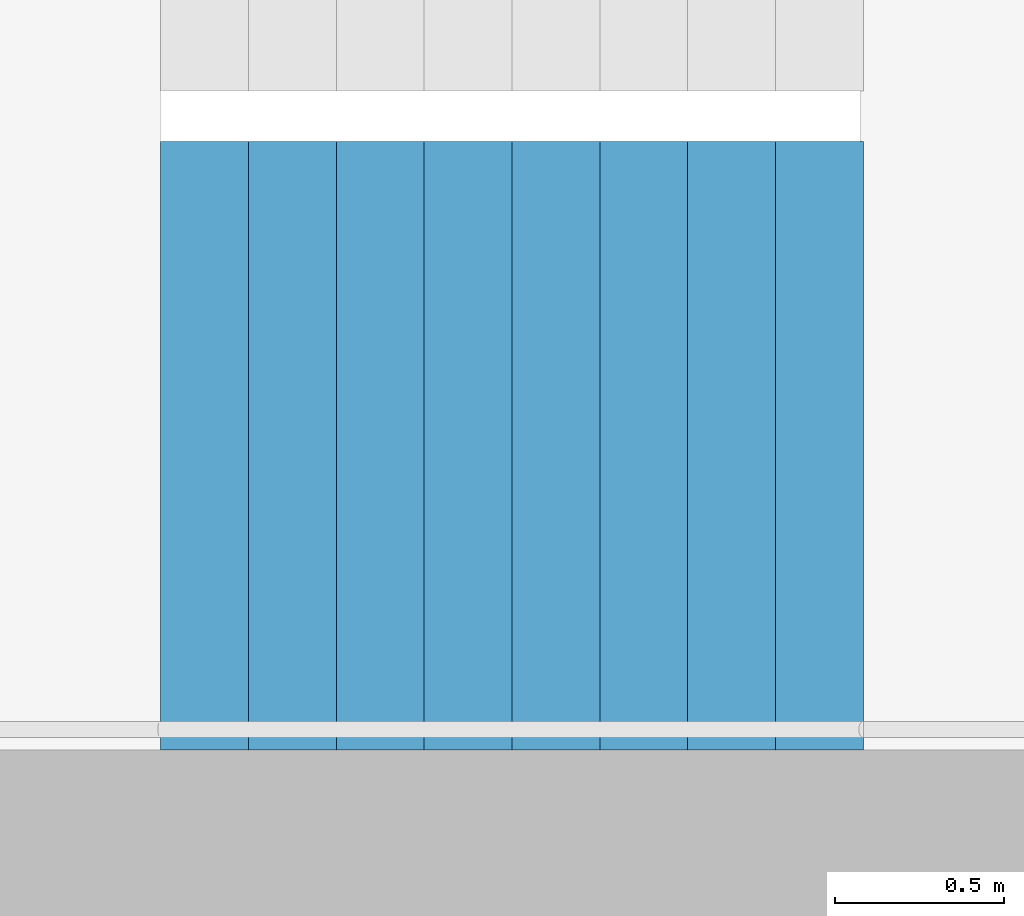
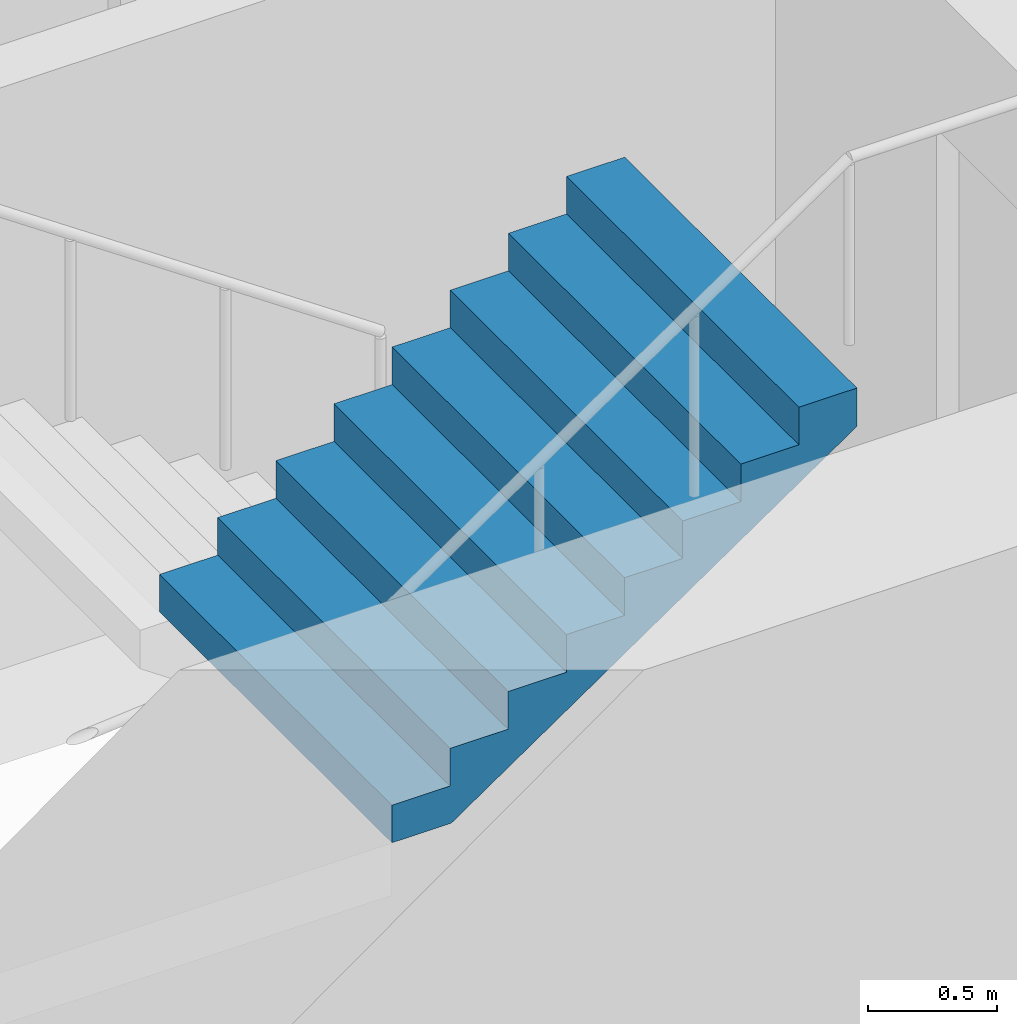
# One storey, part 18 of 26: 1 stair flight, 1 element without a shape of its own.
"""IFC4 building model written with IfcOpenShell, lengths in metres."""

from ifc_helpers import new_model, si_unit, direction, frame, origin, place, context, subcontext, project, spatial, triangles, material, type_object, element, aggregate, save


model = new_model("IFC4")

# Units and contexts
model_context = context("Model", 3, precision=1e-05, world=origin(), true_north=direction((0.0, 1.0)))
body_context = subcontext(model_context, "Body", "Model", "MODEL_VIEW")
ifc_project = project(units=[si_unit("LENGTHUNIT", "METRE"), si_unit("AREAUNIT", "SQUARE_METRE"), si_unit("VOLUMEUNIT", "CUBIC_METRE"), si_unit("PLANEANGLEUNIT", "RADIAN"), si_unit("MASSUNIT", "GRAM", prefix="KILO")], contexts=[model_context])

# Site, building, storey
site_placement = place(None, origin())
site = spatial("IfcSite", under=ifc_project, at=site_placement, CompositionType="ELEMENT")
building_placement = place(site_placement, origin())
building = spatial("IfcBuilding", under=site, at=building_placement, Name="Hakoniwa Tower and Hamabe Station Hall", CompositionType="ELEMENT")
storey_placement = place(building_placement, frame((0.0, 0.0, 156.60009765625)))
storey = spatial("IfcBuildingStorey", under=building, at=storey_placement, Name="L44", CompositionType="ELEMENT", Elevation=156.60009765625)

# Stair, stair flight
ifc_material_1 = material(Name="Concrete C40", Category="concrete")
stair_type = type_object("IfcStairType", Name="ESCAPE STAIR 1800", PredefinedType="HALF_TURN_STAIR", material=ifc_material_1)
stair_placement = place(storey_placement, origin())
stair = element("IfcStair", 1, at=stair_placement, inside=storey, type_object=stair_type, Name="Escape stair ST-2 L44", PredefinedType="HALF_TURN_STAIR")
ifc_material_2 = material(Name="Concrete C40", Category="concrete")
stair_flight_type = type_object("IfcStairFlightType", Name="STAIR FLIGHT 1800", PredefinedType="STRAIGHT", material=ifc_material_2)
stair_flight_placement = place(storey_placement, frame((-25.47998046875, -6.60009765625, 1.599853515625), z_axis=(0.0, 0.0, 1.0), x_axis=(1.0, 0.0, 0.0)))
stair_flight = element("IfcStairFlight", 2, at=stair_flight_placement, type_object=stair_flight_type, Name="ST-2 flight 2", NumberOfRisers=9, NumberOfTreads=8, PredefinedType="STRAIGHT", RiserHeight=0.177777778, TreadLength=0.26, context=body_context, shape_type="Tessellation", body=[
    triangles([(0.0, 0.89990234375, 0.0), (0.260009765625, 0.89990234375, 0.0), (0.265625, 0.89990234375, 0.0), (0.52001953125, 0.89990234375, 0.174072265625), (0.780029296875, 0.89990234375, 0.351806640625), (1.0400390625, 0.89990234375, 0.529541015625), (1.300048828125, 0.89990234375, 0.707275390625), (1.56005859375, 0.89990234375, 0.885009765625), (1.820068359375, 0.89990234375, 1.062744140625), (2.080078125, 0.89990234375, 1.24072265625), (2.080078125, 0.89990234375, 1.422119140625), (1.820068359375, 0.89990234375, 1.422119140625), (1.820068359375, 0.89990234375, 1.244384765625), (1.56005859375, 0.89990234375, 1.244384765625), (1.56005859375, 0.89990234375, 1.066650390625), (1.300048828125, 0.89990234375, 1.066650390625), (1.300048828125, 0.89990234375, 0.888916015625), (1.0400390625, 0.89990234375, 0.888916015625), (1.0400390625, 0.89990234375, 0.711181640625), (0.780029296875, 0.89990234375, 0.711181640625), (0.780029296875, 0.89990234375, 0.533447265625), (0.52001953125, 0.89990234375, 0.533447265625), (0.52001953125, 0.89990234375, 0.35546875), (0.265625, 0.89990234375, 0.35546875), (0.260009765625, 0.89990234375, 0.35546875), (0.260009765625, 0.89990234375, 0.177734375), (0.0, 0.89990234375, 0.177734375), (0.0, 0.06005859375, 0.0), (0.260009765625, 0.06005859375, 0.0), (0.265625, 0.06005859375, 0.0), (0.52001953125, 0.06005859375, 0.174072265625), (0.780029296875, 0.06005859375, 0.351806640625), (1.0400390625, 0.06005859375, 0.529541015625), (1.300048828125, 0.06005859375, 0.707275390625), (1.56005859375, 0.06005859375, 0.885009765625), (1.820068359375, 0.06005859375, 1.062744140625), (2.080078125, 0.06005859375, 1.24072265625), (2.080078125, 0.06005859375, 1.422119140625), (1.820068359375, 0.06005859375, 1.422119140625), (1.820068359375, 0.06005859375, 1.244384765625), (1.56005859375, 0.06005859375, 1.244384765625), (1.56005859375, 0.06005859375, 1.066650390625), (1.300048828125, 0.06005859375, 1.066650390625), (1.300048828125, 0.06005859375, 0.888916015625), (1.0400390625, 0.06005859375, 0.888916015625), (1.0400390625, 0.06005859375, 0.711181640625), (0.780029296875, 0.06005859375, 0.711181640625), (0.780029296875, 0.06005859375, 0.533447265625), (0.52001953125, 0.06005859375, 0.533447265625), (0.52001953125, 0.06005859375, 0.35546875), (0.265625, 0.06005859375, 0.35546875), (0.260009765625, 0.06005859375, 0.35546875), (0.260009765625, 0.06005859375, 0.177734375), (0.0, 0.06005859375, 0.177734375), (0.0, 0.04296875, 0.0), (0.260009765625, 0.04296875, 0.0), (0.265625, 0.04296875, 0.0), (0.52001953125, 0.04296875, 0.174072265625), (0.780029296875, 0.04296875, 0.351806640625), (1.0400390625, 0.04296875, 0.529541015625), (1.300048828125, 0.04296875, 0.707275390625), (1.56005859375, 0.04296875, 0.885009765625), (1.820068359375, 0.04296875, 1.062744140625), (2.080078125, 0.04296875, 1.24072265625), (2.080078125, 0.04296875, 1.422119140625), (1.820068359375, 0.04296875, 1.422119140625), (1.820068359375, 0.04296875, 1.244384765625), (1.56005859375, 0.04296875, 1.244384765625), (1.56005859375, 0.04296875, 1.066650390625), (1.300048828125, 0.04296875, 1.066650390625), (1.300048828125, 0.04296875, 0.888916015625), (1.0400390625, 0.04296875, 0.888916015625), (1.0400390625, 0.04296875, 0.711181640625), (0.780029296875, 0.04296875, 0.711181640625), (0.780029296875, 0.04296875, 0.533447265625), (0.52001953125, 0.04296875, 0.533447265625), (0.52001953125, 0.04296875, 0.35546875), (0.265625, 0.04296875, 0.35546875), (0.260009765625, 0.04296875, 0.35546875), (0.260009765625, 0.04296875, 0.177734375), (0.0, 0.04296875, 0.177734375), (0.0, 0.025634765625, 0.0), (0.260009765625, 0.025634765625, 0.0), (0.265625, 0.025634765625, 0.0), (0.52001953125, 0.025634765625, 0.174072265625), (0.780029296875, 0.025634765625, 0.351806640625), (1.0400390625, 0.025634765625, 0.529541015625), (1.300048828125, 0.025634765625, 0.707275390625), (1.56005859375, 0.025634765625, 0.885009765625), (1.820068359375, 0.025634765625, 1.062744140625), (2.080078125, 0.025634765625, 1.24072265625), (2.080078125, 0.025634765625, 1.422119140625), (1.820068359375, 0.025634765625, 1.422119140625), (1.820068359375, 0.025634765625, 1.244384765625), (1.56005859375, 0.025634765625, 1.244384765625), (1.56005859375, 0.025634765625, 1.066650390625), (1.300048828125, 0.025634765625, 1.066650390625), (1.300048828125, 0.025634765625, 0.888916015625), (1.0400390625, 0.025634765625, 0.888916015625), (1.0400390625, 0.025634765625, 0.711181640625), (0.780029296875, 0.025634765625, 0.711181640625), (0.780029296875, 0.025634765625, 0.533447265625), (0.52001953125, 0.025634765625, 0.533447265625), (0.52001953125, 0.025634765625, 0.35546875), (0.265625, 0.025634765625, 0.35546875), (0.260009765625, 0.025634765625, 0.35546875), (0.260009765625, 0.025634765625, 0.177734375), (0.0, 0.025634765625, 0.177734375), (0.0, 0.008544921875, 0.0), (0.260009765625, 0.008544921875, 0.0), (0.265625, 0.008544921875, 0.0), (0.52001953125, 0.008544921875, 0.174072265625), (0.780029296875, 0.008544921875, 0.351806640625), (1.0400390625, 0.008544921875, 0.529541015625), (1.300048828125, 0.008544921875, 0.707275390625), (1.56005859375, 0.008544921875, 0.885009765625), (1.820068359375, 0.008544921875, 1.062744140625), (2.080078125, 0.008544921875, 1.24072265625), (2.080078125, 0.008544921875, 1.422119140625), (1.820068359375, 0.008544921875, 1.422119140625), (1.820068359375, 0.008544921875, 1.244384765625), (1.56005859375, 0.008544921875, 1.244384765625), (1.56005859375, 0.008544921875, 1.066650390625), (1.300048828125, 0.008544921875, 1.066650390625), (1.300048828125, 0.008544921875, 0.888916015625), (1.0400390625, 0.008544921875, 0.888916015625), (1.0400390625, 0.008544921875, 0.711181640625), (0.780029296875, 0.008544921875, 0.711181640625), (0.780029296875, 0.008544921875, 0.533447265625), (0.52001953125, 0.008544921875, 0.533447265625), (0.52001953125, 0.008544921875, 0.35546875), (0.265625, 0.008544921875, 0.35546875), (0.260009765625, 0.008544921875, 0.35546875), (0.260009765625, 0.008544921875, 0.177734375), (0.0, 0.008544921875, 0.177734375), (0.0, -0.008544921875, 0.0), (0.260009765625, -0.008544921875, 0.0), (0.265625, -0.008544921875, 0.0), (0.52001953125, -0.008544921875, 0.174072265625), (0.780029296875, -0.008544921875, 0.351806640625), (1.0400390625, -0.008544921875, 0.529541015625), (1.300048828125, -0.008544921875, 0.707275390625), (1.56005859375, -0.008544921875, 0.885009765625), (1.820068359375, -0.008544921875, 1.062744140625), (2.080078125, -0.008544921875, 1.24072265625), (2.080078125, -0.008544921875, 1.422119140625), (1.820068359375, -0.008544921875, 1.422119140625), (1.820068359375, -0.008544921875, 1.244384765625), (1.56005859375, -0.008544921875, 1.244384765625), (1.56005859375, -0.008544921875, 1.066650390625), (1.300048828125, -0.008544921875, 1.066650390625), (1.300048828125, -0.008544921875, 0.888916015625), (1.0400390625, -0.008544921875, 0.888916015625), (1.0400390625, -0.008544921875, 0.711181640625), (0.780029296875, -0.008544921875, 0.711181640625), (0.780029296875, -0.008544921875, 0.533447265625), (0.52001953125, -0.008544921875, 0.533447265625), (0.52001953125, -0.008544921875, 0.35546875), (0.265625, -0.008544921875, 0.35546875), (0.260009765625, -0.008544921875, 0.35546875), (0.260009765625, -0.008544921875, 0.177734375), (0.0, -0.008544921875, 0.177734375), (0.0, -0.025634765625, 0.0), (0.260009765625, -0.025634765625, 0.0), (0.265625, -0.025634765625, 0.0), (0.52001953125, -0.025634765625, 0.174072265625), (0.780029296875, -0.025634765625, 0.351806640625), (1.0400390625, -0.025634765625, 0.529541015625), (1.300048828125, -0.025634765625, 0.707275390625), (1.56005859375, -0.025634765625, 0.885009765625), (1.820068359375, -0.025634765625, 1.062744140625), (2.080078125, -0.025634765625, 1.24072265625), (2.080078125, -0.025634765625, 1.422119140625), (1.820068359375, -0.025634765625, 1.422119140625), (1.820068359375, -0.025634765625, 1.244384765625), (1.56005859375, -0.025634765625, 1.244384765625), (1.56005859375, -0.025634765625, 1.066650390625), (1.300048828125, -0.025634765625, 1.066650390625), (1.300048828125, -0.025634765625, 0.888916015625), (1.0400390625, -0.025634765625, 0.888916015625), (1.0400390625, -0.025634765625, 0.711181640625), (0.780029296875, -0.025634765625, 0.711181640625), (0.780029296875, -0.025634765625, 0.533447265625), (0.52001953125, -0.025634765625, 0.533447265625), (0.52001953125, -0.025634765625, 0.35546875), (0.265625, -0.025634765625, 0.35546875), (0.260009765625, -0.025634765625, 0.35546875), (0.260009765625, -0.025634765625, 0.177734375), (0.0, -0.025634765625, 0.177734375), (0.0, -0.04296875, 0.0), (0.260009765625, -0.04296875, 0.0), (0.265625, -0.04296875, 0.0), (0.52001953125, -0.04296875, 0.174072265625), (0.780029296875, -0.04296875, 0.351806640625), (1.0400390625, -0.04296875, 0.529541015625), (1.300048828125, -0.04296875, 0.707275390625), (1.56005859375, -0.04296875, 0.885009765625), (1.820068359375, -0.04296875, 1.062744140625), (2.080078125, -0.04296875, 1.24072265625), (2.080078125, -0.04296875, 1.422119140625), (1.820068359375, -0.04296875, 1.422119140625), (1.820068359375, -0.04296875, 1.244384765625), (1.56005859375, -0.04296875, 1.244384765625), (1.56005859375, -0.04296875, 1.066650390625), (1.300048828125, -0.04296875, 1.066650390625), (1.300048828125, -0.04296875, 0.888916015625), (1.0400390625, -0.04296875, 0.888916015625), (1.0400390625, -0.04296875, 0.711181640625), (0.780029296875, -0.04296875, 0.711181640625), (0.780029296875, -0.04296875, 0.533447265625), (0.52001953125, -0.04296875, 0.533447265625), (0.52001953125, -0.04296875, 0.35546875), (0.265625, -0.04296875, 0.35546875), (0.260009765625, -0.04296875, 0.35546875), (0.260009765625, -0.04296875, 0.177734375), (0.0, -0.04296875, 0.177734375), (0.0, -0.06005859375, 0.0), (0.260009765625, -0.06005859375, 0.0), (0.265625, -0.06005859375, 0.0), (0.52001953125, -0.06005859375, 0.174072265625), (0.780029296875, -0.06005859375, 0.351806640625), (1.0400390625, -0.06005859375, 0.529541015625), (1.300048828125, -0.06005859375, 0.707275390625), (1.56005859375, -0.06005859375, 0.885009765625), (1.820068359375, -0.06005859375, 1.062744140625), (2.080078125, -0.06005859375, 1.24072265625), (2.080078125, -0.06005859375, 1.422119140625), (1.820068359375, -0.06005859375, 1.422119140625), (1.820068359375, -0.06005859375, 1.244384765625), (1.56005859375, -0.06005859375, 1.244384765625), (1.56005859375, -0.06005859375, 1.066650390625), (1.300048828125, -0.06005859375, 1.066650390625), (1.300048828125, -0.06005859375, 0.888916015625), (1.0400390625, -0.06005859375, 0.888916015625), (1.0400390625, -0.06005859375, 0.711181640625), (0.780029296875, -0.06005859375, 0.711181640625), (0.780029296875, -0.06005859375, 0.533447265625), (0.52001953125, -0.06005859375, 0.533447265625), (0.52001953125, -0.06005859375, 0.35546875), (0.265625, -0.06005859375, 0.35546875), (0.260009765625, -0.06005859375, 0.35546875), (0.260009765625, -0.06005859375, 0.177734375), (0.0, -0.06005859375, 0.177734375), (0.0, -0.89990234375, 0.0), (0.260009765625, -0.89990234375, 0.0), (0.265625, -0.89990234375, 0.0), (0.52001953125, -0.89990234375, 0.174072265625), (0.780029296875, -0.89990234375, 0.351806640625), (1.0400390625, -0.89990234375, 0.529541015625), (1.300048828125, -0.89990234375, 0.707275390625), (1.56005859375, -0.89990234375, 0.885009765625), (1.820068359375, -0.89990234375, 1.062744140625), (2.080078125, -0.89990234375, 1.24072265625), (2.080078125, -0.89990234375, 1.422119140625), (1.820068359375, -0.89990234375, 1.422119140625), (1.820068359375, -0.89990234375, 1.244384765625), (1.56005859375, -0.89990234375, 1.244384765625), (1.56005859375, -0.89990234375, 1.066650390625), (1.300048828125, -0.89990234375, 1.066650390625), (1.300048828125, -0.89990234375, 0.888916015625), (1.0400390625, -0.89990234375, 0.888916015625), (1.0400390625, -0.89990234375, 0.711181640625), (0.780029296875, -0.89990234375, 0.711181640625), (0.780029296875, -0.89990234375, 0.533447265625), (0.52001953125, -0.89990234375, 0.533447265625), (0.52001953125, -0.89990234375, 0.35546875), (0.265625, -0.89990234375, 0.35546875), (0.260009765625, -0.89990234375, 0.35546875), (0.260009765625, -0.89990234375, 0.177734375), (0.0, -0.89990234375, 0.177734375)], [[2, 27, 26], [245, 269, 270], [2, 1, 27], [245, 270, 244], [3, 25, 24], [246, 267, 268], [3, 26, 25], [246, 268, 269], [3, 2, 26], [246, 269, 245], [4, 24, 23], [247, 266, 267], [4, 3, 24], [247, 267, 246], [5, 22, 21], [248, 264, 265], [5, 23, 22], [248, 265, 266], [5, 4, 23], [248, 266, 247], [6, 20, 19], [249, 262, 263], [6, 21, 20], [249, 263, 264], [6, 5, 21], [249, 264, 248], [7, 18, 17], [250, 260, 261], [7, 19, 18], [250, 261, 262], [7, 6, 19], [250, 262, 249], [8, 16, 15], [251, 258, 259], [8, 17, 16], [251, 259, 260], [8, 7, 17], [251, 260, 250], [9, 14, 13], [252, 256, 257], [9, 15, 14], [252, 257, 258], [9, 8, 15], [252, 258, 251], [10, 12, 11], [253, 254, 255], [10, 13, 12], [253, 255, 256], [10, 9, 13], [253, 256, 252], [1, 2, 29], [1, 29, 28], [28, 29, 56], [28, 56, 55], [55, 56, 83], [55, 83, 82], [82, 83, 110], [82, 110, 109], [109, 110, 137], [109, 137, 136], [136, 137, 164], [136, 164, 163], [163, 164, 191], [163, 191, 190], [190, 191, 218], [190, 218, 217], [217, 218, 245], [217, 245, 244], [2, 3, 30], [2, 30, 29], [29, 30, 57], [29, 57, 56], [56, 57, 84], [56, 84, 83], [83, 84, 111], [83, 111, 110], [110, 111, 138], [110, 138, 137], [137, 138, 165], [137, 165, 164], [164, 165, 192], [164, 192, 191], [191, 192, 219], [191, 219, 218], [218, 219, 246], [218, 246, 245], [3, 4, 31], [3, 31, 30], [30, 31, 58], [30, 58, 57], [57, 58, 85], [57, 85, 84], [84, 85, 112], [84, 112, 111], [111, 112, 139], [111, 139, 138], [138, 139, 166], [138, 166, 165], [165, 166, 193], [165, 193, 192], [192, 193, 220], [192, 220, 219], [219, 220, 247], [219, 247, 246], [4, 5, 32], [4, 32, 31], [31, 32, 59], [31, 59, 58], [58, 59, 86], [58, 86, 85], [85, 86, 113], [85, 113, 112], [112, 113, 140], [112, 140, 139], [139, 140, 167], [139, 167, 166], [166, 167, 194], [166, 194, 193], [193, 194, 221], [193, 221, 220], [220, 221, 248], [220, 248, 247], [5, 6, 33], [5, 33, 32], [32, 33, 60], [32, 60, 59], [59, 60, 87], [59, 87, 86], [86, 87, 114], [86, 114, 113], [113, 114, 141], [113, 141, 140], [140, 141, 168], [140, 168, 167], [167, 168, 195], [167, 195, 194], [194, 195, 222], [194, 222, 221], [221, 222, 249], [221, 249, 248], [6, 7, 34], [6, 34, 33], [33, 34, 61], [33, 61, 60], [60, 61, 88], [60, 88, 87], [87, 88, 115], [87, 115, 114], [114, 115, 142], [114, 142, 141], [141, 142, 169], [141, 169, 168], [168, 169, 196], [168, 196, 195], [195, 196, 223], [195, 223, 222], [222, 223, 250], [222, 250, 249], [7, 8, 35], [7, 35, 34], [34, 35, 62], [34, 62, 61], [61, 62, 89], [61, 89, 88], [88, 89, 116], [88, 116, 115], [115, 116, 143], [115, 143, 142], [142, 143, 170], [142, 170, 169], [169, 170, 197], [169, 197, 196], [196, 197, 224], [196, 224, 223], [223, 224, 251], [223, 251, 250], [8, 9, 36], [8, 36, 35], [35, 36, 63], [35, 63, 62], [62, 63, 90], [62, 90, 89], [89, 90, 117], [89, 117, 116], [116, 117, 144], [116, 144, 143], [143, 144, 171], [143, 171, 170], [170, 171, 198], [170, 198, 197], [197, 198, 225], [197, 225, 224], [224, 225, 252], [224, 252, 251], [9, 10, 37], [9, 37, 36], [36, 37, 64], [36, 64, 63], [63, 64, 91], [63, 91, 90], [90, 91, 118], [90, 118, 117], [117, 118, 145], [117, 145, 144], [144, 145, 172], [144, 172, 171], [171, 172, 199], [171, 199, 198], [198, 199, 226], [198, 226, 225], [225, 226, 253], [225, 253, 252], [10, 11, 38], [10, 38, 37], [37, 38, 65], [37, 65, 64], [64, 65, 92], [64, 92, 91], [91, 92, 119], [91, 119, 118], [118, 119, 146], [118, 146, 145], [145, 146, 173], [145, 173, 172], [172, 173, 200], [172, 200, 199], [199, 200, 227], [199, 227, 226], [226, 227, 254], [226, 254, 253], [11, 12, 39], [11, 39, 38], [38, 39, 66], [38, 66, 65], [65, 66, 93], [65, 93, 92], [92, 93, 120], [92, 120, 119], [119, 120, 147], [119, 147, 146], [146, 147, 174], [146, 174, 173], [173, 174, 201], [173, 201, 200], [200, 201, 228], [200, 228, 227], [227, 228, 255], [227, 255, 254], [12, 13, 40], [12, 40, 39], [39, 40, 67], [39, 67, 66], [66, 67, 94], [66, 94, 93], [93, 94, 121], [93, 121, 120], [120, 121, 148], [120, 148, 147], [147, 148, 175], [147, 175, 174], [174, 175, 202], [174, 202, 201], [201, 202, 229], [201, 229, 228], [228, 229, 256], [228, 256, 255], [13, 14, 41], [13, 41, 40], [40, 41, 68], [40, 68, 67], [67, 68, 95], [67, 95, 94], [94, 95, 122], [94, 122, 121], [121, 122, 149], [121, 149, 148], [148, 149, 176], [148, 176, 175], [175, 176, 203], [175, 203, 202], [202, 203, 230], [202, 230, 229], [229, 230, 257], [229, 257, 256], [14, 15, 42], [14, 42, 41], [41, 42, 69], [41, 69, 68], [68, 69, 96], [68, 96, 95], [95, 96, 123], [95, 123, 122], [122, 123, 150], [122, 150, 149], [149, 150, 177], [149, 177, 176], [176, 177, 204], [176, 204, 203], [203, 204, 231], [203, 231, 230], [230, 231, 258], [230, 258, 257], [15, 16, 43], [15, 43, 42], [42, 43, 70], [42, 70, 69], [69, 70, 97], [69, 97, 96], [96, 97, 124], [96, 124, 123], [123, 124, 151], [123, 151, 150], [150, 151, 178], [150, 178, 177], [177, 178, 205], [177, 205, 204], [204, 205, 232], [204, 232, 231], [231, 232, 259], [231, 259, 258], [16, 17, 44], [16, 44, 43], [43, 44, 71], [43, 71, 70], [70, 71, 98], [70, 98, 97], [97, 98, 125], [97, 125, 124], [124, 125, 152], [124, 152, 151], [151, 152, 179], [151, 179, 178], [178, 179, 206], [178, 206, 205], [205, 206, 233], [205, 233, 232], [232, 233, 260], [232, 260, 259], [17, 18, 45], [17, 45, 44], [44, 45, 72], [44, 72, 71], [71, 72, 99], [71, 99, 98], [98, 99, 126], [98, 126, 125], [125, 126, 153], [125, 153, 152], [152, 153, 180], [152, 180, 179], [179, 180, 207], [179, 207, 206], [206, 207, 234], [206, 234, 233], [233, 234, 261], [233, 261, 260], [18, 19, 46], [18, 46, 45], [45, 46, 73], [45, 73, 72], [72, 73, 100], [72, 100, 99], [99, 100, 127], [99, 127, 126], [126, 127, 154], [126, 154, 153], [153, 154, 181], [153, 181, 180], [180, 181, 208], [180, 208, 207], [207, 208, 235], [207, 235, 234], [234, 235, 262], [234, 262, 261], [19, 20, 47], [19, 47, 46], [46, 47, 74], [46, 74, 73], [73, 74, 101], [73, 101, 100], [100, 101, 128], [100, 128, 127], [127, 128, 155], [127, 155, 154], [154, 155, 182], [154, 182, 181], [181, 182, 209], [181, 209, 208], [208, 209, 236], [208, 236, 235], [235, 236, 263], [235, 263, 262], [20, 21, 48], [20, 48, 47], [47, 48, 75], [47, 75, 74], [74, 75, 102], [74, 102, 101], [101, 102, 129], [101, 129, 128], [128, 129, 156], [128, 156, 155], [155, 156, 183], [155, 183, 182], [182, 183, 210], [182, 210, 209], [209, 210, 237], [209, 237, 236], [236, 237, 264], [236, 264, 263], [21, 22, 49], [21, 49, 48], [48, 49, 76], [48, 76, 75], [75, 76, 103], [75, 103, 102], [102, 103, 130], [102, 130, 129], [129, 130, 157], [129, 157, 156], [156, 157, 184], [156, 184, 183], [183, 184, 211], [183, 211, 210], [210, 211, 238], [210, 238, 237], [237, 238, 265], [237, 265, 264], [22, 23, 50], [22, 50, 49], [49, 50, 77], [49, 77, 76], [76, 77, 104], [76, 104, 103], [103, 104, 131], [103, 131, 130], [130, 131, 158], [130, 158, 157], [157, 158, 185], [157, 185, 184], [184, 185, 212], [184, 212, 211], [211, 212, 239], [211, 239, 238], [238, 239, 266], [238, 266, 265], [23, 24, 51], [23, 51, 50], [50, 51, 78], [50, 78, 77], [77, 78, 105], [77, 105, 104], [104, 105, 132], [104, 132, 131], [131, 132, 159], [131, 159, 158], [158, 159, 186], [158, 186, 185], [185, 186, 213], [185, 213, 212], [212, 213, 240], [212, 240, 239], [239, 240, 267], [239, 267, 266], [24, 25, 52], [24, 52, 51], [51, 52, 79], [51, 79, 78], [78, 79, 106], [78, 106, 105], [105, 106, 133], [105, 133, 132], [132, 133, 160], [132, 160, 159], [159, 160, 187], [159, 187, 186], [186, 187, 214], [186, 214, 213], [213, 214, 241], [213, 241, 240], [240, 241, 268], [240, 268, 267], [25, 26, 53], [25, 53, 52], [52, 53, 80], [52, 80, 79], [79, 80, 107], [79, 107, 106], [106, 107, 134], [106, 134, 133], [133, 134, 161], [133, 161, 160], [160, 161, 188], [160, 188, 187], [187, 188, 215], [187, 215, 214], [214, 215, 242], [214, 242, 241], [241, 242, 269], [241, 269, 268], [26, 27, 54], [26, 54, 53], [53, 54, 81], [53, 81, 80], [80, 81, 108], [80, 108, 107], [107, 108, 135], [107, 135, 134], [134, 135, 162], [134, 162, 161], [161, 162, 189], [161, 189, 188], [188, 189, 216], [188, 216, 215], [215, 216, 243], [215, 243, 242], [242, 243, 270], [242, 270, 269], [27, 1, 28], [27, 28, 54], [54, 28, 55], [54, 55, 81], [81, 55, 82], [81, 82, 108], [108, 82, 109], [108, 109, 135], [135, 109, 136], [135, 136, 162], [162, 136, 163], [162, 163, 189], [189, 163, 190], [189, 190, 216], [216, 190, 217], [216, 217, 243], [243, 217, 244], [243, 244, 270]], closed=True),
])
aggregate(stair, [stair_flight])

save(model, "model.ifc")
